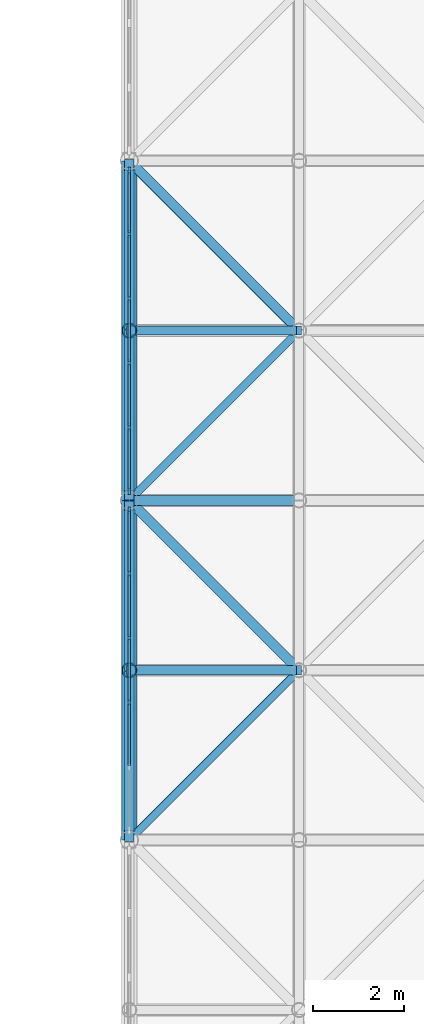
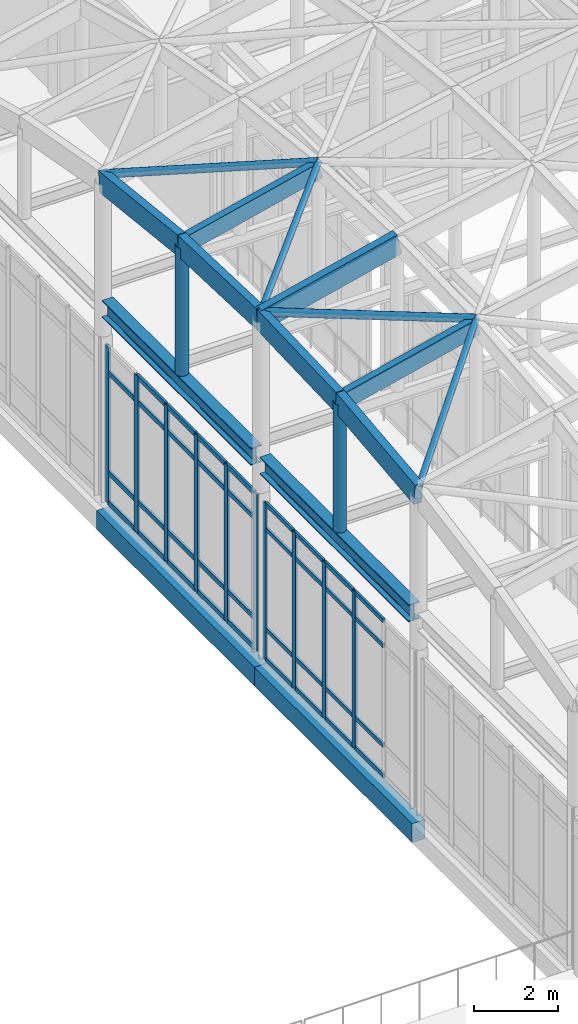
# One storey, part 24 of 131: 58 members, 4 beams, 2 elements without a shape of their own.
"""IFC4 building model written with IfcOpenShell, lengths in metres."""

from ifc_helpers import new_model, si_unit, direction, frame, origin, origin_2d, place, context, subcontext, project, spatial, rectangle, hollow_circle, i_section, extrude, material, layer, layer_set, material_profile, profile_set, type_object, element, aggregate, save


model = new_model("IFC4")

# Units and contexts
model_context = context("Model", 3, precision=1e-05, world=origin(), true_north=direction((0.0, 1.0)))
body_context = subcontext(model_context, "Body", "Model", "MODEL_VIEW")
ifc_project = project(units=[si_unit("LENGTHUNIT", "METRE"), si_unit("AREAUNIT", "SQUARE_METRE"), si_unit("VOLUMEUNIT", "CUBIC_METRE"), si_unit("PLANEANGLEUNIT", "RADIAN"), si_unit("MASSUNIT", "GRAM", prefix="KILO")], contexts=[model_context])

# Site, building, storey
site_placement = place(None, origin())
site = spatial("IfcSite", under=ifc_project, at=site_placement, CompositionType="ELEMENT")
building_placement = place(site_placement, origin())
building = spatial("IfcBuilding", under=site, at=building_placement, Name="Dalvernix Boulevard General Hospital", CompositionType="ELEMENT")
storey_placement = place(building_placement, frame((0.0, 0.0, 9.300048828125)))
storey = spatial("IfcBuildingStorey", under=building, at=storey_placement, Name="L02", CompositionType="ELEMENT", Elevation=9.300048828125)

# Beams
ifc_material_1 = material(Name="Steel S355", Category="steel")
ifc_material_profile_1 = material_profile(ifc_material_1, i_section(OverallWidth=0.300048828125, OverallDepth=0.5, WebThickness=0.014404296875, FlangeThickness=0.028076171875, FilletRadius=0.027099609375, at=origin_2d()), Name="HEB 500")
ifc_profile_set_1 = profile_set([ifc_material_profile_1], Name="Steel S355")
beam_type_1 = type_object("IfcBeamType", Name="BM-RB-02", PredefinedType="BEAM", material=ifc_profile_set_1)
for number, where, z_axis, x_axis, name in (
    (1, (60.0, 39.2099609375, 5.64990234375), (0.0, 1.0, 0.0), (-1.0, 0.0, 0.0), "Gridshell Ring Beam W bay 2"),
    (2, (60.0, 46.7099609375, 5.64990234375), (0.0, 1.0, 0.0), (-1.0, 0.0, 0.0), "Gridshell Ring Beam W bay 3"),
):
    element("IfcBeam", number, at=place(storey_placement, frame(where, z_axis=z_axis, x_axis=x_axis)), inside=storey, type_object=beam_type_1, Name=name, PredefinedType="BEAM", context=body_context, shape_type="SweptSolid", body=[
        extrude(i_section(OverallWidth=0.300048828125, OverallDepth=0.5, WebThickness=0.014404296875, FlangeThickness=0.028076171875, FilletRadius=0.027099609375, at=origin_2d()), origin(), (0.0, 0.0, 1.0), 7.080078125),
    ])
ifc_material_2 = material(Name="Concrete C35/45", Category="concrete")
ifc_material_profile_2 = material_profile(ifc_material_2, rectangle(XDim=0.35009765625, YDim=0.550048828125, at=origin_2d()), Name="RCB 350x550")
ifc_profile_set_2 = profile_set([ifc_material_profile_2], Name="Concrete C35/45")
beam_type_2 = type_object("IfcBeamType", Name="BM-SB-01-E", PredefinedType="SPANDREL", material=ifc_profile_set_2)
for number, where, z_axis, x_axis, name in (
    (3, (60.0, 39.0, -0.594970703125), (0.0, 1.0, 0.0), (-1.0, 0.0, 0.0), "L02 N-S girder 9:F-G"),
    (4, (60.0, 46.5, -0.594970703125), (0.0, 1.0, 0.0), (-1.0, 0.0, 0.0), "L02 N-S girder 9:G-H"),
):
    element("IfcBeam", number, at=place(storey_placement, frame(where, z_axis=z_axis, x_axis=x_axis)), inside=storey, type_object=beam_type_2, Name=name, PredefinedType="SPANDREL", context=body_context, shape_type="SweptSolid", body=[
        extrude(rectangle(XDim=0.35009765625, YDim=0.550048828125, at=origin_2d()), origin(), (0.0, 0.0, 1.0), 7.5),
    ])

# Curtain wall, members
ifc_material_3 = material(Name="Thermally broken aluminium and solar-control glass curtain wall", Category="aluminium")
ifc_layer_1 = layer(ifc_material_3, 0.159912109375)
ifc_layer_set_1 = layer_set([ifc_layer_1], Name="Thermally broken aluminium and solar-control glass curtain wall (CW-CW-A-71x46)")
curtain_wall_type_1 = type_object("IfcCurtainWallType", Name="CW-CW-A-71x46", PredefinedType="USERDEFINED", material=ifc_layer_set_1)
curtain_wall_1_placement = place(storey_placement, origin())
curtain_wall_1 = element("IfcCurtainWall", 5, at=curtain_wall_1_placement, inside=storey, type_object=curtain_wall_type_1, Name="L02 curtain wall CW-A-71x46 8-5", ObjectType="GLAZED FACADE", PredefinedType="USERDEFINED")
ifc_material_4 = material(Name="Aluminium EN AW-6060", Category="aluminium")
ifc_material_profile_3 = material_profile(ifc_material_4, rectangle(XDim=0.06005859375, YDim=0.159912109375, at=origin_2d()), Name="ALU MULL 60x160")
ifc_profile_set_3 = profile_set([ifc_material_profile_3], Name="Aluminium EN AW-6060")
member_type_1 = type_object("IfcMemberType", Name="MEM-CW-M1", PredefinedType="MULLION", material=ifc_profile_set_3)
member_1_placement = place(storey_placement, frame((60.0, 42.0380859375, 0.0), z_axis=(0.0, 0.0, 1.0), x_axis=(-1.0, 0.0, 0.0)))
member_1 = element("IfcMember", 6, at=member_1_placement, type_object=member_type_1, Name="CW-A-71x46 mullion 3", PredefinedType="MULLION", context=body_context, shape_type="SweptSolid", body=[
    extrude(rectangle(XDim=0.06005859375, YDim=0.159912109375, at=origin_2d()), origin(), (0.0, 0.0, 1.0), 4.550048828125),
])
member_2_placement = place(storey_placement, frame((60.0, 43.4619140625, 0.0), z_axis=(0.0, 0.0, 1.0), x_axis=(-1.0, 0.0, 0.0)))
member_2 = element("IfcMember", 7, at=member_2_placement, type_object=member_type_1, Name="CW-A-71x46 mullion 4", PredefinedType="MULLION", context=body_context, shape_type="SweptSolid", body=[
    extrude(rectangle(XDim=0.06005859375, YDim=0.159912109375, at=origin_2d()), origin(), (0.0, 0.0, 1.0), 4.550048828125),
])
member_3_placement = place(storey_placement, frame((60.0, 44.885986328125, 0.0), z_axis=(0.0, 0.0, 1.0), x_axis=(-1.0, 0.0, 0.0)))
member_3 = element("IfcMember", 8, at=member_3_placement, type_object=member_type_1, Name="CW-A-71x46 mullion 5", PredefinedType="MULLION", context=body_context, shape_type="SweptSolid", body=[
    extrude(rectangle(XDim=0.06005859375, YDim=0.159912109375, at=origin_2d()), origin(), (0.0, 0.0, 1.0), 4.550048828125),
])
member_4_placement = place(storey_placement, frame((60.0, 46.280029296875, 0.0), z_axis=(0.0, 0.0, 1.0), x_axis=(-1.0, 0.0, 0.0)))
member_4 = element("IfcMember", 9, at=member_4_placement, type_object=member_type_1, Name="CW-A-71x46 mullion 6", PredefinedType="MULLION", context=body_context, shape_type="SweptSolid", body=[
    extrude(rectangle(XDim=0.06005859375, YDim=0.159912109375, at=origin_2d()), origin(), (0.0, 0.0, 1.0), 4.550048828125),
])

ifc_layer_2 = layer(ifc_material_3, 0.179931640625)
ifc_layer_set_2 = layer_set([ifc_layer_2], Name="Thermally broken aluminium and solar-control glass curtain wall (CW-CW-B-71x46)")
curtain_wall_type_2 = type_object("IfcCurtainWallType", Name="CW-CW-B-71x46", PredefinedType="USERDEFINED", material=ifc_layer_set_2)
curtain_wall_2_placement = place(storey_placement, origin())
curtain_wall_2 = element("IfcCurtainWall", 10, at=curtain_wall_2_placement, inside=storey, type_object=curtain_wall_type_2, Name="L02 curtain wall CW-B-71x46 8-6", ObjectType="GLAZED FACADE", PredefinedType="USERDEFINED")
ifc_material_profile_4 = material_profile(ifc_material_4, rectangle(XDim=0.06494140625, YDim=0.179931640625, at=origin_2d()), Name="ALU MULL 65x180")
ifc_profile_set_4 = profile_set([ifc_material_profile_4], Name="Aluminium EN AW-6060")
member_type_2 = type_object("IfcMemberType", Name="MEM-CW-M2", PredefinedType="MULLION", material=ifc_profile_set_4)
member_5_placement = place(storey_placement, frame((60.0, 46.722412109375, 0.0), z_axis=(0.0, 0.0, 1.0), x_axis=(-1.0, 0.0, 0.0)))
member_5 = element("IfcMember", 11, at=member_5_placement, type_object=member_type_2, Name="CW-B-71x46 mullion 1", PredefinedType="MULLION", context=body_context, shape_type="SweptSolid", body=[
    extrude(rectangle(XDim=0.06494140625, YDim=0.179931640625, at=origin_2d()), origin(), (0.0, 0.0, 1.0), 4.550048828125),
])
member_6_placement = place(storey_placement, frame((60.0, 48.114013671875, 0.0), z_axis=(0.0, 0.0, 1.0), x_axis=(-1.0, 0.0, 0.0)))
member_6 = element("IfcMember", 12, at=member_6_placement, type_object=member_type_2, Name="CW-B-71x46 mullion 2", PredefinedType="MULLION", context=body_context, shape_type="SweptSolid", body=[
    extrude(rectangle(XDim=0.06494140625, YDim=0.179931640625, at=origin_2d()), origin(), (0.0, 0.0, 1.0), 4.550048828125),
])
member_7_placement = place(storey_placement, frame((60.0, 49.5380859375, 0.0), z_axis=(0.0, 0.0, 1.0), x_axis=(-1.0, 0.0, 0.0)))
member_7 = element("IfcMember", 13, at=member_7_placement, type_object=member_type_2, Name="CW-B-71x46 mullion 3", PredefinedType="MULLION", context=body_context, shape_type="SweptSolid", body=[
    extrude(rectangle(XDim=0.06494140625, YDim=0.179931640625, at=origin_2d()), origin(), (0.0, 0.0, 1.0), 4.550048828125),
])
member_8_placement = place(storey_placement, frame((60.0, 50.9619140625, 0.0), z_axis=(0.0, 0.0, 1.0), x_axis=(-1.0, 0.0, 0.0)))
member_8 = element("IfcMember", 14, at=member_8_placement, type_object=member_type_2, Name="CW-B-71x46 mullion 4", PredefinedType="MULLION", context=body_context, shape_type="SweptSolid", body=[
    extrude(rectangle(XDim=0.06494140625, YDim=0.179931640625, at=origin_2d()), origin(), (0.0, 0.0, 1.0), 4.550048828125),
])
member_9_placement = place(storey_placement, frame((60.0, 52.385986328125, 0.0), z_axis=(0.0, 0.0, 1.0), x_axis=(-1.0, 0.0, 0.0)))
member_9 = element("IfcMember", 15, at=member_9_placement, type_object=member_type_2, Name="CW-B-71x46 mullion 5", PredefinedType="MULLION", context=body_context, shape_type="SweptSolid", body=[
    extrude(rectangle(XDim=0.06494140625, YDim=0.179931640625, at=origin_2d()), origin(), (0.0, 0.0, 1.0), 4.550048828125),
])
member_10_placement = place(storey_placement, frame((60.0, 53.777587890625, 0.0), z_axis=(0.0, 0.0, 1.0), x_axis=(-1.0, 0.0, 0.0)))
member_10 = element("IfcMember", 16, at=member_10_placement, type_object=member_type_2, Name="CW-B-71x46 mullion 6", PredefinedType="MULLION", context=body_context, shape_type="SweptSolid", body=[
    extrude(rectangle(XDim=0.06494140625, YDim=0.179931640625, at=origin_2d()), origin(), (0.0, 0.0, 1.0), 4.550048828125),
])

# Member
ifc_material_profile_5 = material_profile(ifc_material_4, rectangle(XDim=0.06005859375, YDim=0.1201171875, at=origin_2d()), Name="ALU TRAN 60x120")
ifc_profile_set_5 = profile_set([ifc_material_profile_5], Name="Aluminium EN AW-6060")
member_type_3 = type_object("IfcMemberType", Name="MEM-CW-T1", PredefinedType="USERDEFINED", material=ifc_profile_set_5)
member_11_placement = place(storey_placement, frame((60.0, 40.64404296875, 0.030029296875), z_axis=(0.0, 1.0, 0.0), x_axis=(-1.0, 0.0, 0.0)))
member_11 = element("IfcMember", 17, at=member_11_placement, type_object=member_type_3, Name="CW-A-71x46 transom 2.1", ObjectType="TRANSOM", PredefinedType="USERDEFINED", context=body_context, shape_type="SweptSolid", body=[
    extrude(rectangle(XDim=0.06005859375, YDim=0.1201171875, at=origin_2d()), origin(), (0.0, 0.0, 1.0), 1.364013671875),
])

member_12_placement = place(storey_placement, frame((60.0, 40.64404296875, 0.89990234375), z_axis=(0.0, 1.0, 0.0), x_axis=(-1.0, 0.0, 0.0)))
member_12 = element("IfcMember", 18, at=member_12_placement, type_object=member_type_3, Name="CW-A-71x46 transom 2.2", ObjectType="TRANSOM", PredefinedType="USERDEFINED", context=body_context, shape_type="SweptSolid", body=[
    extrude(rectangle(XDim=0.06005859375, YDim=0.1201171875, at=origin_2d()), origin(), (0.0, 0.0, 1.0), 1.364013671875),
])

member_13_placement = place(storey_placement, frame((60.0, 40.64404296875, 3.800048828125), z_axis=(0.0, 1.0, 0.0), x_axis=(-1.0, 0.0, 0.0)))
member_13 = element("IfcMember", 19, at=member_13_placement, type_object=member_type_3, Name="CW-A-71x46 transom 2.3", ObjectType="TRANSOM", PredefinedType="USERDEFINED", context=body_context, shape_type="SweptSolid", body=[
    extrude(rectangle(XDim=0.06005859375, YDim=0.1201171875, at=origin_2d()), origin(), (0.0, 0.0, 1.0), 1.364013671875),
])

member_14_placement = place(storey_placement, frame((60.0, 40.64404296875, 4.52001953125), z_axis=(0.0, 1.0, 0.0), x_axis=(-1.0, 0.0, 0.0)))
member_14 = element("IfcMember", 20, at=member_14_placement, type_object=member_type_3, Name="CW-A-71x46 transom 2.4", ObjectType="TRANSOM", PredefinedType="USERDEFINED", context=body_context, shape_type="SweptSolid", body=[
    extrude(rectangle(XDim=0.06005859375, YDim=0.1201171875, at=origin_2d()), origin(), (0.0, 0.0, 1.0), 1.364013671875),
])

member_15_placement = place(storey_placement, frame((60.0, 42.068115234375, 0.030029296875), z_axis=(0.0, 1.0, 0.0), x_axis=(-1.0, 0.0, 0.0)))
member_15 = element("IfcMember", 21, at=member_15_placement, type_object=member_type_3, Name="CW-A-71x46 transom 3.1", ObjectType="TRANSOM", PredefinedType="USERDEFINED", context=body_context, shape_type="SweptSolid", body=[
    extrude(rectangle(XDim=0.06005859375, YDim=0.1201171875, at=origin_2d()), origin(), (0.0, 0.0, 1.0), 1.36376953125),
])

member_16_placement = place(storey_placement, frame((60.0, 42.068115234375, 0.89990234375), z_axis=(0.0, 1.0, 0.0), x_axis=(-1.0, 0.0, 0.0)))
member_16 = element("IfcMember", 22, at=member_16_placement, type_object=member_type_3, Name="CW-A-71x46 transom 3.2", ObjectType="TRANSOM", PredefinedType="USERDEFINED", context=body_context, shape_type="SweptSolid", body=[
    extrude(rectangle(XDim=0.06005859375, YDim=0.1201171875, at=origin_2d()), origin(), (0.0, 0.0, 1.0), 1.36376953125),
])

member_17_placement = place(storey_placement, frame((60.0, 42.068115234375, 3.800048828125), z_axis=(0.0, 1.0, 0.0), x_axis=(-1.0, 0.0, 0.0)))
member_17 = element("IfcMember", 23, at=member_17_placement, type_object=member_type_3, Name="CW-A-71x46 transom 3.3", ObjectType="TRANSOM", PredefinedType="USERDEFINED", context=body_context, shape_type="SweptSolid", body=[
    extrude(rectangle(XDim=0.06005859375, YDim=0.1201171875, at=origin_2d()), origin(), (0.0, 0.0, 1.0), 1.36376953125),
])

member_18_placement = place(storey_placement, frame((60.0, 42.068115234375, 4.52001953125), z_axis=(0.0, 1.0, 0.0), x_axis=(-1.0, 0.0, 0.0)))
member_18 = element("IfcMember", 24, at=member_18_placement, type_object=member_type_3, Name="CW-A-71x46 transom 3.4", ObjectType="TRANSOM", PredefinedType="USERDEFINED", context=body_context, shape_type="SweptSolid", body=[
    extrude(rectangle(XDim=0.06005859375, YDim=0.1201171875, at=origin_2d()), origin(), (0.0, 0.0, 1.0), 1.36376953125),
])

member_19_placement = place(storey_placement, frame((60.0, 43.491943359375, 0.030029296875), z_axis=(0.0, 1.0, 0.0), x_axis=(-1.0, 0.0, 0.0)))
member_19 = element("IfcMember", 25, at=member_19_placement, type_object=member_type_3, Name="CW-A-71x46 transom 4.1", ObjectType="TRANSOM", PredefinedType="USERDEFINED", context=body_context, shape_type="SweptSolid", body=[
    extrude(rectangle(XDim=0.06005859375, YDim=0.1201171875, at=origin_2d()), origin(), (0.0, 0.0, 1.0), 1.364013671875),
])

member_20_placement = place(storey_placement, frame((60.0, 43.491943359375, 0.89990234375), z_axis=(0.0, 1.0, 0.0), x_axis=(-1.0, 0.0, 0.0)))
member_20 = element("IfcMember", 26, at=member_20_placement, type_object=member_type_3, Name="CW-A-71x46 transom 4.2", ObjectType="TRANSOM", PredefinedType="USERDEFINED", context=body_context, shape_type="SweptSolid", body=[
    extrude(rectangle(XDim=0.06005859375, YDim=0.1201171875, at=origin_2d()), origin(), (0.0, 0.0, 1.0), 1.364013671875),
])

member_21_placement = place(storey_placement, frame((60.0, 43.491943359375, 3.800048828125), z_axis=(0.0, 1.0, 0.0), x_axis=(-1.0, 0.0, 0.0)))
member_21 = element("IfcMember", 27, at=member_21_placement, type_object=member_type_3, Name="CW-A-71x46 transom 4.3", ObjectType="TRANSOM", PredefinedType="USERDEFINED", context=body_context, shape_type="SweptSolid", body=[
    extrude(rectangle(XDim=0.06005859375, YDim=0.1201171875, at=origin_2d()), origin(), (0.0, 0.0, 1.0), 1.364013671875),
])

member_22_placement = place(storey_placement, frame((60.0, 43.491943359375, 4.52001953125), z_axis=(0.0, 1.0, 0.0), x_axis=(-1.0, 0.0, 0.0)))
member_22 = element("IfcMember", 28, at=member_22_placement, type_object=member_type_3, Name="CW-A-71x46 transom 4.4", ObjectType="TRANSOM", PredefinedType="USERDEFINED", context=body_context, shape_type="SweptSolid", body=[
    extrude(rectangle(XDim=0.06005859375, YDim=0.1201171875, at=origin_2d()), origin(), (0.0, 0.0, 1.0), 1.364013671875),
])

member_23_placement = place(storey_placement, frame((60.0, 44.916015625, 0.030029296875), z_axis=(0.0, 1.0, 0.0), x_axis=(-1.0, 0.0, 0.0)))
member_23 = element("IfcMember", 29, at=member_23_placement, type_object=member_type_3, Name="CW-A-71x46 transom 5.1", ObjectType="TRANSOM", PredefinedType="USERDEFINED", context=body_context, shape_type="SweptSolid", body=[
    extrude(rectangle(XDim=0.06005859375, YDim=0.1201171875, at=origin_2d()), origin(), (0.0, 0.0, 1.0), 1.333984375),
])

member_24_placement = place(storey_placement, frame((60.0, 44.916015625, 0.89990234375), z_axis=(0.0, 1.0, 0.0), x_axis=(-1.0, 0.0, 0.0)))
member_24 = element("IfcMember", 30, at=member_24_placement, type_object=member_type_3, Name="CW-A-71x46 transom 5.2", ObjectType="TRANSOM", PredefinedType="USERDEFINED", context=body_context, shape_type="SweptSolid", body=[
    extrude(rectangle(XDim=0.06005859375, YDim=0.1201171875, at=origin_2d()), origin(), (0.0, 0.0, 1.0), 1.333984375),
])

member_25_placement = place(storey_placement, frame((60.0, 44.916015625, 3.800048828125), z_axis=(0.0, 1.0, 0.0), x_axis=(-1.0, 0.0, 0.0)))
member_25 = element("IfcMember", 31, at=member_25_placement, type_object=member_type_3, Name="CW-A-71x46 transom 5.3", ObjectType="TRANSOM", PredefinedType="USERDEFINED", context=body_context, shape_type="SweptSolid", body=[
    extrude(rectangle(XDim=0.06005859375, YDim=0.1201171875, at=origin_2d()), origin(), (0.0, 0.0, 1.0), 1.333984375),
])

member_26_placement = place(storey_placement, frame((60.0, 44.916015625, 4.52001953125), z_axis=(0.0, 1.0, 0.0), x_axis=(-1.0, 0.0, 0.0)))
member_26 = element("IfcMember", 32, at=member_26_placement, type_object=member_type_3, Name="CW-A-71x46 transom 5.4", ObjectType="TRANSOM", PredefinedType="USERDEFINED", context=body_context, shape_type="SweptSolid", body=[
    extrude(rectangle(XDim=0.06005859375, YDim=0.1201171875, at=origin_2d()), origin(), (0.0, 0.0, 1.0), 1.333984375),
])

aggregate(curtain_wall_1, [member_1, member_2, member_3, member_4, member_11, member_12, member_13, member_14, member_15, member_16, member_17, member_18, member_19, member_20, member_21, member_22, member_23, member_24, member_25, member_26])

ifc_material_profile_6 = material_profile(ifc_material_4, rectangle(XDim=0.06494140625, YDim=0.139892578125, at=origin_2d()), Name="ALU TRAN 65x140")
ifc_profile_set_6 = profile_set([ifc_material_profile_6], Name="Aluminium EN AW-6060")
member_type_4 = type_object("IfcMemberType", Name="MEM-CW-T2", PredefinedType="USERDEFINED", material=ifc_profile_set_6)
member_27_placement = place(storey_placement, frame((60.0, 46.7548828125, 0.032470703125), z_axis=(0.0, 1.0, 0.0), x_axis=(-1.0, 0.0, 0.0)))
member_27 = element("IfcMember", 33, at=member_27_placement, type_object=member_type_4, Name="CW-B-71x46 transom 1.1", ObjectType="TRANSOM", PredefinedType="USERDEFINED", context=body_context, shape_type="SweptSolid", body=[
    extrude(rectangle(XDim=0.06494140625, YDim=0.139892578125, at=origin_2d()), origin(), (0.0, 0.0, 1.0), 1.32666015625),
])

member_28_placement = place(storey_placement, frame((60.0, 46.7548828125, 0.89990234375), z_axis=(0.0, 1.0, 0.0), x_axis=(-1.0, 0.0, 0.0)))
member_28 = element("IfcMember", 34, at=member_28_placement, type_object=member_type_4, Name="CW-B-71x46 transom 1.2", ObjectType="TRANSOM", PredefinedType="USERDEFINED", context=body_context, shape_type="SweptSolid", body=[
    extrude(rectangle(XDim=0.06494140625, YDim=0.139892578125, at=origin_2d()), origin(), (0.0, 0.0, 1.0), 1.32666015625),
])

member_29_placement = place(storey_placement, frame((60.0, 46.7548828125, 3.800048828125), z_axis=(0.0, 1.0, 0.0), x_axis=(-1.0, 0.0, 0.0)))
member_29 = element("IfcMember", 35, at=member_29_placement, type_object=member_type_4, Name="CW-B-71x46 transom 1.3", ObjectType="TRANSOM", PredefinedType="USERDEFINED", context=body_context, shape_type="SweptSolid", body=[
    extrude(rectangle(XDim=0.06494140625, YDim=0.139892578125, at=origin_2d()), origin(), (0.0, 0.0, 1.0), 1.32666015625),
])

member_30_placement = place(storey_placement, frame((60.0, 46.7548828125, 4.517333984375), z_axis=(0.0, 1.0, 0.0), x_axis=(-1.0, 0.0, 0.0)))
member_30 = element("IfcMember", 36, at=member_30_placement, type_object=member_type_4, Name="CW-B-71x46 transom 1.4", ObjectType="TRANSOM", PredefinedType="USERDEFINED", context=body_context, shape_type="SweptSolid", body=[
    extrude(rectangle(XDim=0.06494140625, YDim=0.139892578125, at=origin_2d()), origin(), (0.0, 0.0, 1.0), 1.32666015625),
])

member_31_placement = place(storey_placement, frame((60.0, 48.146484375, 0.032470703125), z_axis=(0.0, 1.0, 0.0), x_axis=(-1.0, 0.0, 0.0)))
member_31 = element("IfcMember", 37, at=member_31_placement, type_object=member_type_4, Name="CW-B-71x46 transom 2.1", ObjectType="TRANSOM", PredefinedType="USERDEFINED", context=body_context, shape_type="SweptSolid", body=[
    extrude(rectangle(XDim=0.06494140625, YDim=0.139892578125, at=origin_2d()), origin(), (0.0, 0.0, 1.0), 1.359130859375),
])

member_32_placement = place(storey_placement, frame((60.0, 48.146484375, 0.89990234375), z_axis=(0.0, 1.0, 0.0), x_axis=(-1.0, 0.0, 0.0)))
member_32 = element("IfcMember", 38, at=member_32_placement, type_object=member_type_4, Name="CW-B-71x46 transom 2.2", ObjectType="TRANSOM", PredefinedType="USERDEFINED", context=body_context, shape_type="SweptSolid", body=[
    extrude(rectangle(XDim=0.06494140625, YDim=0.139892578125, at=origin_2d()), origin(), (0.0, 0.0, 1.0), 1.359130859375),
])

member_33_placement = place(storey_placement, frame((60.0, 48.146484375, 3.800048828125), z_axis=(0.0, 1.0, 0.0), x_axis=(-1.0, 0.0, 0.0)))
member_33 = element("IfcMember", 39, at=member_33_placement, type_object=member_type_4, Name="CW-B-71x46 transom 2.3", ObjectType="TRANSOM", PredefinedType="USERDEFINED", context=body_context, shape_type="SweptSolid", body=[
    extrude(rectangle(XDim=0.06494140625, YDim=0.139892578125, at=origin_2d()), origin(), (0.0, 0.0, 1.0), 1.359130859375),
])

member_34_placement = place(storey_placement, frame((60.0, 48.146484375, 4.517333984375), z_axis=(0.0, 1.0, 0.0), x_axis=(-1.0, 0.0, 0.0)))
member_34 = element("IfcMember", 40, at=member_34_placement, type_object=member_type_4, Name="CW-B-71x46 transom 2.4", ObjectType="TRANSOM", PredefinedType="USERDEFINED", context=body_context, shape_type="SweptSolid", body=[
    extrude(rectangle(XDim=0.06494140625, YDim=0.139892578125, at=origin_2d()), origin(), (0.0, 0.0, 1.0), 1.359130859375),
])

member_35_placement = place(storey_placement, frame((60.0, 49.570556640625, 0.032470703125), z_axis=(0.0, 1.0, 0.0), x_axis=(-1.0, 0.0, 0.0)))
member_35 = element("IfcMember", 41, at=member_35_placement, type_object=member_type_4, Name="CW-B-71x46 transom 3.1", ObjectType="TRANSOM", PredefinedType="USERDEFINED", context=body_context, shape_type="SweptSolid", body=[
    extrude(rectangle(XDim=0.06494140625, YDim=0.139892578125, at=origin_2d()), origin(), (0.0, 0.0, 1.0), 1.35888671875),
])

member_36_placement = place(storey_placement, frame((60.0, 49.570556640625, 0.89990234375), z_axis=(0.0, 1.0, 0.0), x_axis=(-1.0, 0.0, 0.0)))
member_36 = element("IfcMember", 42, at=member_36_placement, type_object=member_type_4, Name="CW-B-71x46 transom 3.2", ObjectType="TRANSOM", PredefinedType="USERDEFINED", context=body_context, shape_type="SweptSolid", body=[
    extrude(rectangle(XDim=0.06494140625, YDim=0.139892578125, at=origin_2d()), origin(), (0.0, 0.0, 1.0), 1.35888671875),
])

member_37_placement = place(storey_placement, frame((60.0, 49.570556640625, 3.800048828125), z_axis=(0.0, 1.0, 0.0), x_axis=(-1.0, 0.0, 0.0)))
member_37 = element("IfcMember", 43, at=member_37_placement, type_object=member_type_4, Name="CW-B-71x46 transom 3.3", ObjectType="TRANSOM", PredefinedType="USERDEFINED", context=body_context, shape_type="SweptSolid", body=[
    extrude(rectangle(XDim=0.06494140625, YDim=0.139892578125, at=origin_2d()), origin(), (0.0, 0.0, 1.0), 1.35888671875),
])

member_38_placement = place(storey_placement, frame((60.0, 49.570556640625, 4.517333984375), z_axis=(0.0, 1.0, 0.0), x_axis=(-1.0, 0.0, 0.0)))
member_38 = element("IfcMember", 44, at=member_38_placement, type_object=member_type_4, Name="CW-B-71x46 transom 3.4", ObjectType="TRANSOM", PredefinedType="USERDEFINED", context=body_context, shape_type="SweptSolid", body=[
    extrude(rectangle(XDim=0.06494140625, YDim=0.139892578125, at=origin_2d()), origin(), (0.0, 0.0, 1.0), 1.35888671875),
])

member_39_placement = place(storey_placement, frame((60.0, 50.994384765625, 0.032470703125), z_axis=(0.0, 1.0, 0.0), x_axis=(-1.0, 0.0, 0.0)))
member_39 = element("IfcMember", 45, at=member_39_placement, type_object=member_type_4, Name="CW-B-71x46 transom 4.1", ObjectType="TRANSOM", PredefinedType="USERDEFINED", context=body_context, shape_type="SweptSolid", body=[
    extrude(rectangle(XDim=0.06494140625, YDim=0.139892578125, at=origin_2d()), origin(), (0.0, 0.0, 1.0), 1.359130859375),
])

member_40_placement = place(storey_placement, frame((60.0, 50.994384765625, 0.89990234375), z_axis=(0.0, 1.0, 0.0), x_axis=(-1.0, 0.0, 0.0)))
member_40 = element("IfcMember", 46, at=member_40_placement, type_object=member_type_4, Name="CW-B-71x46 transom 4.2", ObjectType="TRANSOM", PredefinedType="USERDEFINED", context=body_context, shape_type="SweptSolid", body=[
    extrude(rectangle(XDim=0.06494140625, YDim=0.139892578125, at=origin_2d()), origin(), (0.0, 0.0, 1.0), 1.359130859375),
])

member_41_placement = place(storey_placement, frame((60.0, 50.994384765625, 3.800048828125), z_axis=(0.0, 1.0, 0.0), x_axis=(-1.0, 0.0, 0.0)))
member_41 = element("IfcMember", 47, at=member_41_placement, type_object=member_type_4, Name="CW-B-71x46 transom 4.3", ObjectType="TRANSOM", PredefinedType="USERDEFINED", context=body_context, shape_type="SweptSolid", body=[
    extrude(rectangle(XDim=0.06494140625, YDim=0.139892578125, at=origin_2d()), origin(), (0.0, 0.0, 1.0), 1.359130859375),
])

member_42_placement = place(storey_placement, frame((60.0, 50.994384765625, 4.517333984375), z_axis=(0.0, 1.0, 0.0), x_axis=(-1.0, 0.0, 0.0)))
member_42 = element("IfcMember", 48, at=member_42_placement, type_object=member_type_4, Name="CW-B-71x46 transom 4.4", ObjectType="TRANSOM", PredefinedType="USERDEFINED", context=body_context, shape_type="SweptSolid", body=[
    extrude(rectangle(XDim=0.06494140625, YDim=0.139892578125, at=origin_2d()), origin(), (0.0, 0.0, 1.0), 1.359130859375),
])

member_43_placement = place(storey_placement, frame((60.0, 52.41845703125, 0.032470703125), z_axis=(0.0, 1.0, 0.0), x_axis=(-1.0, 0.0, 0.0)))
member_43 = element("IfcMember", 49, at=member_43_placement, type_object=member_type_4, Name="CW-B-71x46 transom 5.1", ObjectType="TRANSOM", PredefinedType="USERDEFINED", context=body_context, shape_type="SweptSolid", body=[
    extrude(rectangle(XDim=0.06494140625, YDim=0.139892578125, at=origin_2d()), origin(), (0.0, 0.0, 1.0), 1.32666015625),
])

member_44_placement = place(storey_placement, frame((60.0, 52.41845703125, 0.89990234375), z_axis=(0.0, 1.0, 0.0), x_axis=(-1.0, 0.0, 0.0)))
member_44 = element("IfcMember", 50, at=member_44_placement, type_object=member_type_4, Name="CW-B-71x46 transom 5.2", ObjectType="TRANSOM", PredefinedType="USERDEFINED", context=body_context, shape_type="SweptSolid", body=[
    extrude(rectangle(XDim=0.06494140625, YDim=0.139892578125, at=origin_2d()), origin(), (0.0, 0.0, 1.0), 1.32666015625),
])

member_45_placement = place(storey_placement, frame((60.0, 52.41845703125, 3.800048828125), z_axis=(0.0, 1.0, 0.0), x_axis=(-1.0, 0.0, 0.0)))
member_45 = element("IfcMember", 51, at=member_45_placement, type_object=member_type_4, Name="CW-B-71x46 transom 5.3", ObjectType="TRANSOM", PredefinedType="USERDEFINED", context=body_context, shape_type="SweptSolid", body=[
    extrude(rectangle(XDim=0.06494140625, YDim=0.139892578125, at=origin_2d()), origin(), (0.0, 0.0, 1.0), 1.32666015625),
])

aggregate(curtain_wall_2, [member_5, member_6, member_7, member_8, member_9, member_10, member_27, member_28, member_29, member_30, member_31, member_32, member_33, member_34, member_35, member_36, member_37, member_38, member_39, member_40, member_41, member_42, member_43, member_44, member_45])

# Members
ifc_material_5 = material(Name="Glulam GL28h", Category="wood")
ifc_material_profile_7 = material_profile(ifc_material_5, rectangle(XDim=0.219970703125, YDim=0.60009765625, at=origin_2d()), Name="GL28h 220x600")
ifc_profile_set_7 = profile_set([ifc_material_profile_7], Name="Glulam GL28h")
member_type_5 = type_object("IfcMemberType", Name="MEM-GS-C1", PredefinedType="CHORD", material=ifc_profile_set_7)
member_46_placement = place(storey_placement, frame((60.0, 46.5, 9.75), z_axis=(0.972278025754, 0.0, 0.233827801246), x_axis=(0.0, 1.0, 0.0)))
element("IfcMember", 52, at=member_46_placement, inside=storey, type_object=member_type_5, Name="ROOF TRUSS Gridshell E-W glulam rib 1-5", PredefinedType="CHORD", context=body_context, shape_type="SweptSolid", body=[
    extrude(rectangle(XDim=0.219970703125, YDim=0.60009765625, at=origin_2d()), origin(), (0.0, 0.0, 1.0), 3.85693359375),
])
member_47_placement = place(storey_placement, frame((60.0, 39.0, 9.199951171875), z_axis=(0.0, 0.994001542248, 0.109366055104), x_axis=(-1.0, 0.0, 0.0)))
element("IfcMember", 53, at=member_47_placement, inside=storey, type_object=member_type_5, Name="ROOF TRUSS Gridshell N-S glulam rib 1-3", PredefinedType="CHORD", context=body_context, shape_type="SweptSolid", body=[
    extrude(rectangle(XDim=0.219970703125, YDim=0.60009765625, at=origin_2d()), origin(), (0.0, 0.0, 1.0), 3.772705078125),
])
for number, where, z_axis, x_axis, name in (
    (54, (60.0, 42.75, 9.612548828125), (0.0, 0.999328931228, 0.036629048716), (-1.0, 0.0, 0.0), "ROOF TRUSS Gridshell N-S glulam rib 1-4"),
    (55, (60.0, 46.5, 9.75), (0.0, 0.999328931228, -0.036629048716), (-1.0, 0.0, 0.0), "ROOF TRUSS Gridshell N-S glulam rib 1-5"),
):
    element("IfcMember", number, at=place(storey_placement, frame(where, z_axis=z_axis, x_axis=x_axis)), inside=storey, type_object=member_type_5, Name=name, PredefinedType="CHORD", context=body_context, shape_type="SweptSolid", body=[
        extrude(rectangle(XDim=0.219970703125, YDim=0.60009765625, at=origin_2d()), origin(), (0.0, 0.0, 1.0), 3.75244140625),
    ])
member_48_placement = place(storey_placement, frame((60.0, 50.25, 9.612548828125), z_axis=(0.0, 0.994001542248, -0.109366055104), x_axis=(-1.0, 0.0, 0.0)))
element("IfcMember", 56, at=member_48_placement, inside=storey, type_object=member_type_5, Name="ROOF TRUSS Gridshell N-S glulam rib 1-6", PredefinedType="CHORD", context=body_context, shape_type="SweptSolid", body=[
    extrude(rectangle(XDim=0.219970703125, YDim=0.60009765625, at=origin_2d()), origin(), (0.0, 0.0, 1.0), 3.772705078125),
])
ifc_material_profile_8 = material_profile(ifc_material_5, rectangle(XDim=0.199951171875, YDim=0.47998046875, at=origin_2d()), Name="GL28h 200x480")
ifc_profile_set_8 = profile_set([ifc_material_profile_8], Name="Glulam GL28h")
member_type_6 = type_object("IfcMemberType", Name="MEM-GS-C2", PredefinedType="CHORD", material=ifc_profile_set_8)
for number, where, z_axis, x_axis, name in (
    (57, (60.0, 42.75, 9.612548828125), (0.972278025754, 0.0, 0.233827801246), (0.0, 1.0, 0.0), "ROOF TRUSS Gridshell E-W glulam rib 1-4"),
    (58, (60.0, 50.25, 9.612548828125), (0.972278025754, 0.0, 0.233827801246), (0.0, 1.0, 0.0), "ROOF TRUSS Gridshell E-W glulam rib 1-6"),
):
    element("IfcMember", number, at=place(storey_placement, frame(where, z_axis=z_axis, x_axis=x_axis)), inside=storey, type_object=member_type_6, Name=name, PredefinedType="CHORD", context=body_context, shape_type="SweptSolid", body=[
        extrude(rectangle(XDim=0.199951171875, YDim=0.47998046875, at=origin_2d()), origin(), (0.0, 0.0, 1.0), 3.85693359375),
    ])
ifc_material_profile_9 = material_profile(ifc_material_1, hollow_circle(Radius=0.161865234375, WallThickness=0.012451171875, at=origin_2d()), Name="CHS 323.9x12.5")
ifc_profile_set_9 = profile_set([ifc_material_profile_9], Name="Steel S355")
member_type_7 = type_object("IfcMemberType", Name="MEM-GS-C3", PredefinedType="CHORD", material=ifc_profile_set_9)
for number, where, z_axis, x_axis, name in (
    (59, (60.0, 42.75, 5.89990234375), (0.0, 0.0, 1.0), (1.0, 0.0, 0.0), "Gridshell edge mullion 0-3"),
    (60, (60.0, 50.25, 5.89990234375), (0.0, 0.0, 1.0), (1.0, 0.0, 0.0), "Gridshell edge mullion 0-5"),
):
    element("IfcMember", number, at=place(storey_placement, frame(where, z_axis=z_axis, x_axis=x_axis)), inside=storey, type_object=member_type_7, Name=name, PredefinedType="CHORD", context=body_context, shape_type="SweptSolid", body=[
        extrude(hollow_circle(Radius=0.161865234375, WallThickness=0.012451171875, at=origin_2d()), origin(), (0.0, 0.0, 1.0), 3.712646484375),
    ])
ifc_material_profile_10 = material_profile(ifc_material_1, hollow_circle(Radius=0.084228515625, WallThickness=0.00634765625, at=origin_2d()), Name="CHS 168.3x6.3")
ifc_profile_set_10 = profile_set([ifc_material_profile_10], Name="Steel S355")
member_type_8 = type_object("IfcMemberType", Name="MEM-GSD-01", PredefinedType="BRACE", material=ifc_profile_set_10)
member_49_placement = place(storey_placement, frame((60.0, 39.0, 9.389892578125), z_axis=(0.686339235241, 0.686339235241, 0.240576200686), x_axis=(-0.707106781187, 0.707106781187, 0.0)))
element("IfcMember", 61, at=member_49_placement, inside=storey, type_object=member_type_8, Name="ROOF TRUSS Gridshell diagrid tube 1-3", PredefinedType="BRACE", context=body_context, shape_type="SweptSolid", body=[
    extrude(hollow_circle(Radius=0.084228515625, WallThickness=0.00634765625, at=origin_2d()), origin(), (0.0, 0.0, 1.0), 5.4638671875),
])
member_50_placement = place(storey_placement, frame((60.0, 46.5, 9.93994140625), z_axis=(0.699874001044, 0.699874001044, 0.142663118312), x_axis=(-0.707106781187, 0.707106781187, 0.0)))
element("IfcMember", 62, at=member_50_placement, inside=storey, type_object=member_type_8, Name="ROOF TRUSS Gridshell diagrid tube 1-5", PredefinedType="BRACE", context=body_context, shape_type="SweptSolid", body=[
    extrude(hollow_circle(Radius=0.084228515625, WallThickness=0.00634765625, at=origin_2d()), origin(), (0.0, 0.0, 1.0), 5.358154296875),
])
ifc_material_profile_11 = material_profile(ifc_material_1, hollow_circle(Radius=0.109619140625, WallThickness=0.008056640625, at=origin_2d()), Name="CHS 219.1x8.0")
ifc_profile_set_11 = profile_set([ifc_material_profile_11], Name="Steel S355")
member_type_9 = type_object("IfcMemberType", Name="MEM-GSD-02", PredefinedType="BRACE", material=ifc_profile_set_11)
member_51_placement = place(storey_placement, frame((63.75, 42.75, 10.704345703125), z_axis=(-0.699874001044, 0.699874001044, -0.142663118312), x_axis=(-0.707106781187, -0.707106781187, 0.0)))
element("IfcMember", 63, at=member_51_placement, inside=storey, type_object=member_type_9, Name="ROOF TRUSS Gridshell diagrid tube 1-4", PredefinedType="BRACE", context=body_context, shape_type="SweptSolid", body=[
    extrude(hollow_circle(Radius=0.109619140625, WallThickness=0.008056640625, at=origin_2d()), origin(), (0.0, 0.0, 1.0), 5.358154296875),
])
member_52_placement = place(storey_placement, frame((63.75, 50.25, 10.704345703125), z_axis=(-0.686339235241, 0.686339235241, -0.240576200686), x_axis=(-0.707106781187, -0.707106781187, 0.0)))
element("IfcMember", 64, at=member_52_placement, inside=storey, type_object=member_type_9, Name="ROOF TRUSS Gridshell diagrid tube 1-6", PredefinedType="BRACE", context=body_context, shape_type="SweptSolid", body=[
    extrude(hollow_circle(Radius=0.109619140625, WallThickness=0.008056640625, at=origin_2d()), origin(), (0.0, 0.0, 1.0), 5.4638671875),
])

save(model, "model.ifc")
